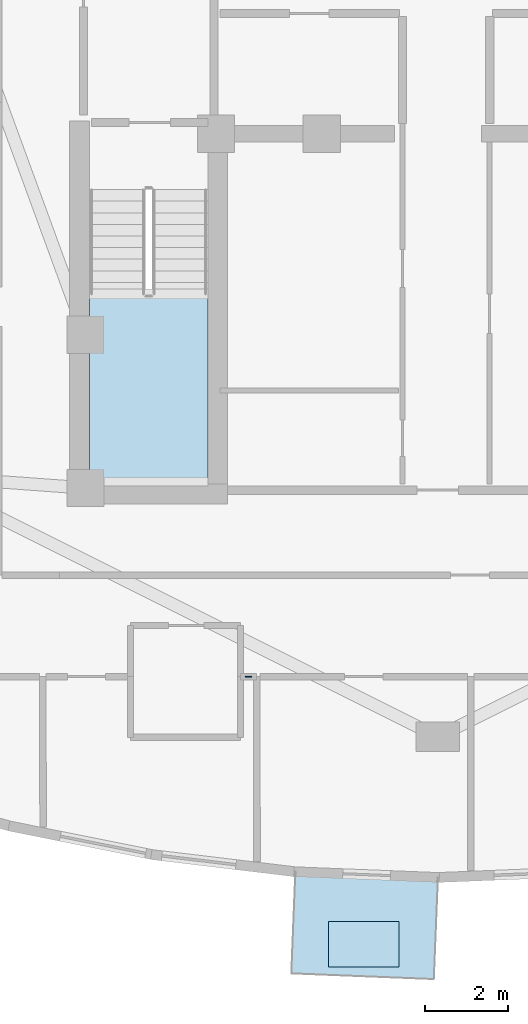
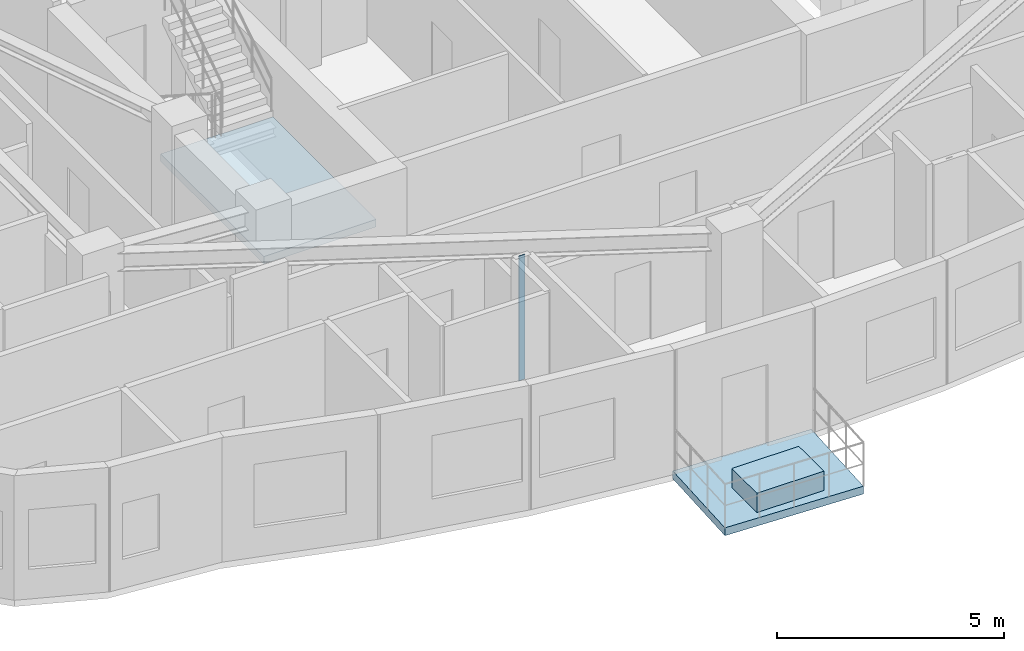
# One storey, part 6 of 15: 3 slabs, 1 plate, 1 element without a shape of its own.
"""IFC4 building model written with IfcOpenShell, lengths in metres."""

from ifc_helpers import new_model, si_unit, direction, frame, origin, origin_2d, place, context, subcontext, project, spatial, polyline, rectangle, outline, extrude, material, layer, layer_set, type_object, element, aggregate, save


model = new_model("IFC4")

# Units and contexts
model_context = context("Model", 3, precision=1e-05, world=origin(), true_north=direction((0.0, 1.0)))
body_context = subcontext(model_context, "Body", "Model", "MODEL_VIEW")
ifc_project = project(units=[si_unit("LENGTHUNIT", "METRE"), si_unit("AREAUNIT", "SQUARE_METRE"), si_unit("VOLUMEUNIT", "CUBIC_METRE"), si_unit("PLANEANGLEUNIT", "RADIAN"), si_unit("MASSUNIT", "GRAM", prefix="KILO")], contexts=[model_context])

# Site, building, storey
site_placement = place(None, origin())
site = spatial("IfcSite", under=ifc_project, at=site_placement, CompositionType="ELEMENT")
building_placement = place(site_placement, origin())
building = spatial("IfcBuilding", under=site, at=building_placement, Name="Miruveldt Soraemaru", CompositionType="ELEMENT")
storey_placement = place(building_placement, frame((0.0, 0.0, 234.0)))
storey = spatial("IfcBuildingStorey", under=building, at=storey_placement, Name="L64", CompositionType="ELEMENT", Elevation=234.0)

# Plate
ifc_material_1 = material(Name="Anodised aluminium EN AW-6063 T6", Category="aluminium")
ifc_layer_1 = layer(ifc_material_1, 0.02001953125, Name="Anodised aluminium EN AW-6063 T6", Category="aluminium")
ifc_layer_set_1 = layer_set([ifc_layer_1], Name="Anodised aluminium EN AW-6063 T6")
plate_type = type_object("IfcPlateType", Name="PLT-PART-TRIM", PredefinedType="SHEET", material=ifc_layer_set_1)
plate_placement = place(storey_placement, frame((39.4345703125, 30.949951171875, 0.0), z_axis=(0.0, 0.0, 1.0), x_axis=(1.0, 0.0, 0.0)))
element("IfcPlate", 1, at=plate_placement, inside=storey, type_object=plate_type, Name="L64 Partition Step Corner Trim Plate 053", PredefinedType="SHEET", context=body_context, shape_type="SweptSolid", body=[
    extrude(rectangle(XDim=0.159912109375, YDim=0.02001953125, at=origin_2d()), origin(), (0.0, 0.0, 1.0), 3.344970703125),
])

# Stair, slab
ifc_material_2 = material(Name="Concrete C40/50 (40 MPa)", Category="concrete")
stair_type = type_object("IfcStairType", Name="STAIR-DL-360", PredefinedType="HALF_TURN_STAIR", material=ifc_material_2)
stair_placement = place(storey_placement, origin())
stair = element("IfcStair", 2, at=stair_placement, inside=storey, type_object=stair_type, Name="L64 Protected Exit Stair ST-1", PredefinedType="HALF_TURN_STAIR")
ifc_layer_2 = layer(ifc_material_2, 0.199951171875, Name="Concrete C40/50 (40 MPa)", Category="concrete")
ifc_layer_set_2 = layer_set([ifc_layer_2], Name="Concrete C40/50 (40 MPa)")
slab_type_1 = type_object("IfcSlabType", Name="SLAB-LAND-200", PredefinedType="LANDING", material=ifc_layer_set_2)
slab_1_placement = place(storey_placement, frame((0.0, 0.0, 1.60009765625)))
slab_1 = element("IfcSlab", 3, at=slab_1_placement, type_object=slab_type_1, Name="ST-1 landing 1", PredefinedType="LANDING", context=body_context, shape_type="SweptSolid", body=[
    extrude(outline(polyline([(35.60009765625, 40.197998046875), (35.60009765625, 35.64990234375), (38.449951171875, 35.64990234375), (38.449951171875, 40.197998046875), (35.60009765625, 40.197998046875)])), origin(), (0.0, 0.0, 1.0), 0.199951171875),
])
aggregate(stair, [slab_1])

# Slabs
ifc_material_3 = material(Name="Precast concrete C45/55 (45 MPa)", Category="concrete")
ifc_layer_3 = layer(ifc_material_3, 0.179931640625, Name="Precast concrete C45/55 (45 MPa)", Category="concrete")
ifc_layer_set_3 = layer_set([ifc_layer_3], Name="Precast concrete C45/55 (45 MPa)")
slab_type_2 = type_object("IfcSlabType", Name="SLAB-PLTR-180", PredefinedType="USERDEFINED", material=ifc_layer_set_3)
slab_2_placement = place(storey_placement, origin())
element("IfcSlab", 4, at=slab_2_placement, inside=storey, type_object=slab_type_2, Name="L64 Sky Garden PLANTER Bed", ObjectType="PLANTER", PredefinedType="USERDEFINED", context=body_context, shape_type="SweptSolid", body=[
    extrude(outline(polyline([(41.364013671875, 23.947998046875), (43.06396484375, 23.947998046875), (43.06396484375, 25.048095703125), (41.364013671875, 25.048095703125), (41.364013671875, 23.947998046875)])), origin(), (0.0, 0.0, 1.0), 0.52001953125),
])
ifc_layer_4 = layer(ifc_material_2, 0.2099609375, Name="Concrete C40/50 (40 MPa)", Category="concrete")
ifc_layer_set_4 = layer_set([ifc_layer_4], Name="Concrete C40/50 (40 MPa)")
slab_type_3 = type_object("IfcSlabType", Name="SLAB-TERR-210", PredefinedType="ROOF", material=ifc_layer_set_4)
slab_3_placement = place(storey_placement, frame((0.0, 0.0, -0.2099609375)))
element("IfcSlab", 5, at=slab_3_placement, inside=storey, type_object=slab_type_3, Name="L64 Sky Garden Terrace Deck", PredefinedType="ROOF", context=body_context, shape_type="SweptSolid", body=[
    extrude(outline(polyline([(40.5625, 26.260986328125), (44.000732421875, 26.12353515625), (43.902099609375, 23.655517578125), (40.4638671875, 23.793212890625), (40.5625, 26.260986328125)])), origin(), (0.0, 0.0, 1.0), 0.2099609375),
])

save(model, "model.ifc")
